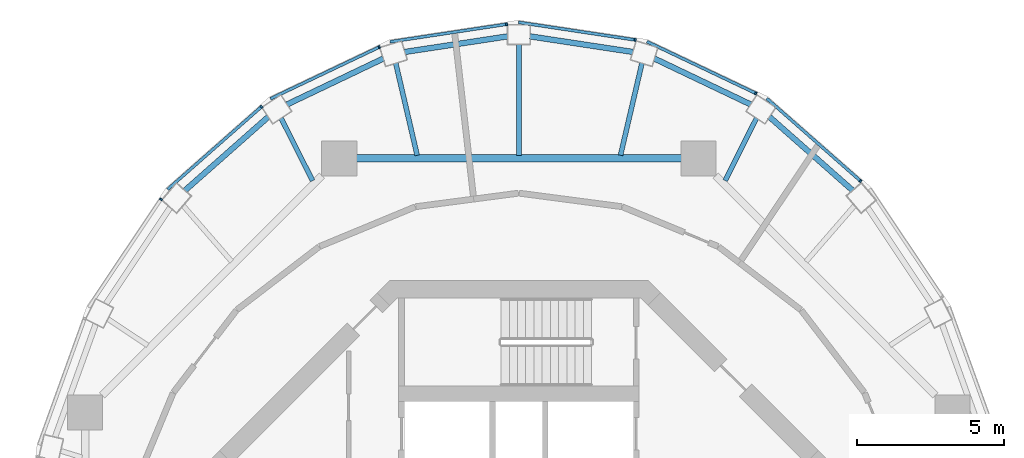
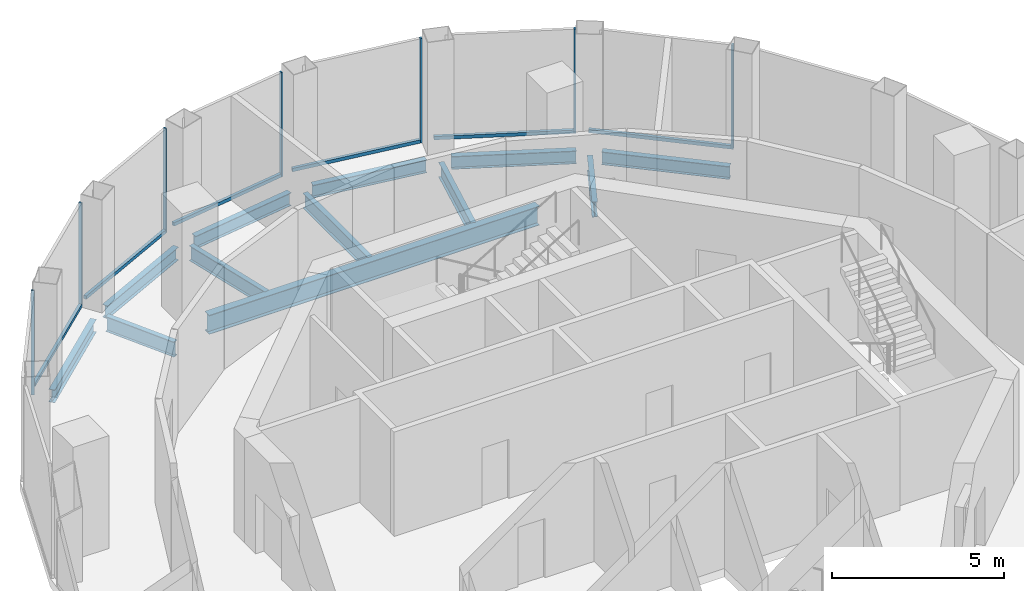
# One storey, part 6 of 11: 13 members, 12 beams, 7 elements without a shape of their own.
"""IFC4 building model written with IfcOpenShell, lengths in metres."""

from ifc_helpers import new_model, si_unit, direction, frame, origin, origin_2d, place, context, subcontext, project, spatial, rectangle, i_section, extrude, material, layer, layer_set, material_profile, profile_set, type_object, element, aggregate, save


model = new_model("IFC4")

# Units and contexts
model_context = context("Model", 3, precision=1e-05, world=origin(), true_north=direction((0.0, 1.0)))
body_context = subcontext(model_context, "Body", "Model", "MODEL_VIEW")
ifc_project = project(units=[si_unit("LENGTHUNIT", "METRE"), si_unit("AREAUNIT", "SQUARE_METRE"), si_unit("VOLUMEUNIT", "CUBIC_METRE"), si_unit("PLANEANGLEUNIT", "RADIAN"), si_unit("MASSUNIT", "GRAM", prefix="KILO")], contexts=[model_context])

# Site, building, storey
site_placement = place(None, origin())
site = spatial("IfcSite", under=ifc_project, at=site_placement, CompositionType="ELEMENT")
building_placement = place(site_placement, origin())
building = spatial("IfcBuilding", under=site, at=building_placement, Name="Nagisa Residences", CompositionType="ELEMENT")
storey_placement = place(building_placement, frame((0.0, 0.0, 332.89990234375)))
storey = spatial("IfcBuildingStorey", under=building, at=storey_placement, Name="L82", CompositionType="ELEMENT", Elevation=332.89990234375)

# Curtain wall, member
ifc_material_1 = material(Name="Aluminium curtain wall system", Category="aluminium")
ifc_layer = layer(ifc_material_1, 0.159912109375)
ifc_layer_set = layer_set([ifc_layer], Name="CW5 CURTAIN WALL")
curtain_wall_type = type_object("IfcCurtainWallType", Name="CW5 CURTAIN WALL", PredefinedType="NOTDEFINED", material=ifc_layer_set)
curtain_wall_1_placement = place(storey_placement, origin())
curtain_wall_1 = element("IfcCurtainWall", 1, at=curtain_wall_1_placement, inside=storey, type_object=curtain_wall_type, Name="cw:CW5:L82:03", PredefinedType="NOTDEFINED")
ifc_material_2 = material(Name="Aluminium", Category="aluminium")
ifc_material_profile_1 = material_profile(ifc_material_2, rectangle(XDim=0.10009765625, YDim=0.06005859375, at=origin_2d()), Name="CW5 MULLION 100x60")
ifc_profile_set_1 = profile_set([ifc_material_profile_1], Name="Aluminium")
member_type_1 = type_object("IfcMemberType", Name="CW5 MULLION 100x60", PredefinedType="MULLION", material=ifc_profile_set_1)
member_1_placement = place(storey_placement, frame((11.645263671875, 14.0126953125, 0.0), z_axis=(0.0, 0.0, 1.0), x_axis=(-0.660699467703, -0.750650526795, 0.0)))
member_1 = element("IfcMember", 2, at=member_1_placement, type_object=member_type_1, Name="CW5 mullion", PredefinedType="MULLION", context=body_context, shape_type="SweptSolid", body=[
    extrude(rectangle(XDim=0.10009765625, YDim=0.06005859375, at=origin_2d()), origin(), (0.0, 0.0, 1.0), 3.7001953125),
])

curtain_wall_2_placement = place(storey_placement, origin())
curtain_wall_2 = element("IfcCurtainWall", 3, at=curtain_wall_2_placement, inside=storey, type_object=curtain_wall_type, Name="cw:CW5:L82:04", PredefinedType="NOTDEFINED")
member_2_placement = place(storey_placement, frame((8.077392578125, 16.999755859375, 0.0), z_axis=(0.0, 0.0, 1.0), x_axis=(-0.429150642757, -0.903232929992, 0.0)))
member_2 = element("IfcMember", 4, at=member_2_placement, type_object=member_type_1, Name="CW5 mullion", PredefinedType="MULLION", context=body_context, shape_type="SweptSolid", body=[
    extrude(rectangle(XDim=0.10009765625, YDim=0.06005859375, at=origin_2d()), origin(), (0.0, 0.0, 1.0), 3.7001953125),
])

curtain_wall_3_placement = place(storey_placement, origin())
curtain_wall_3 = element("IfcCurtainWall", 5, at=curtain_wall_3_placement, inside=storey, type_object=curtain_wall_type, Name="cw:CW5:L82:05", PredefinedType="NOTDEFINED")
member_3_placement = place(storey_placement, frame((3.962890625, 18.820556640625, 0.0), z_axis=(0.0, 0.0, 1.0), x_axis=(-0.149320135997, -0.988788904158, 0.0)))
member_3 = element("IfcMember", 6, at=member_3_placement, type_object=member_type_1, Name="CW5 mullion", PredefinedType="MULLION", context=body_context, shape_type="SweptSolid", body=[
    extrude(rectangle(XDim=0.10009765625, YDim=0.06005859375, at=origin_2d()), origin(), (0.0, 0.0, 1.0), 3.7001953125),
])

curtain_wall_4_placement = place(storey_placement, origin())
curtain_wall_4 = element("IfcCurtainWall", 7, at=curtain_wall_4_placement, inside=storey, type_object=curtain_wall_type, Name="cw:CW5:L82:06", PredefinedType="NOTDEFINED")
member_4_placement = place(storey_placement, frame((-0.413330078125, 19.356689453125, 0.0), z_axis=(0.0, 0.0, 1.0), x_axis=(0.149320135997, -0.988788904158, 0.0)))
member_4 = element("IfcMember", 8, at=member_4_placement, type_object=member_type_1, Name="CW5 mullion", PredefinedType="MULLION", context=body_context, shape_type="SweptSolid", body=[
    extrude(rectangle(XDim=0.10009765625, YDim=0.06005859375, at=origin_2d()), origin(), (0.0, 0.0, 1.0), 3.7001953125),
])

curtain_wall_5_placement = place(storey_placement, origin())
curtain_wall_5 = element("IfcCurtainWall", 9, at=curtain_wall_5_placement, inside=storey, type_object=curtain_wall_type, Name="cw:CW5:L82:07", PredefinedType="NOTDEFINED")
member_5_placement = place(storey_placement, frame((-4.75390625, 18.578857421875, 0.0), z_axis=(0.0, 0.0, 1.0), x_axis=(0.429150642757, -0.903232929992, 0.0)))
member_5 = element("IfcMember", 10, at=member_5_placement, type_object=member_type_1, Name="CW5 mullion", PredefinedType="MULLION", context=body_context, shape_type="SweptSolid", body=[
    extrude(rectangle(XDim=0.10009765625, YDim=0.06005859375, at=origin_2d()), origin(), (0.0, 0.0, 1.0), 3.7001953125),
])

curtain_wall_6_placement = place(storey_placement, origin())
curtain_wall_6 = element("IfcCurtainWall", 11, at=curtain_wall_6_placement, inside=storey, type_object=curtain_wall_type, Name="cw:CW5:L82:08", PredefinedType="NOTDEFINED")
member_6_placement = place(storey_placement, frame((-8.77001953125, 16.54345703125, 0.0), z_axis=(0.0, 0.0, 1.0), x_axis=(0.660699467703, -0.750650526795, 0.0)))
member_6 = element("IfcMember", 12, at=member_6_placement, type_object=member_type_1, Name="CW5 mullion", PredefinedType="MULLION", context=body_context, shape_type="SweptSolid", body=[
    extrude(rectangle(XDim=0.10009765625, YDim=0.06005859375, at=origin_2d()), origin(), (0.0, 0.0, 1.0), 3.7001953125),
])

curtain_wall_7_placement = place(storey_placement, origin())
curtain_wall_7 = element("IfcCurtainWall", 13, at=curtain_wall_7_placement, inside=storey, type_object=curtain_wall_type, Name="cw:CW5:L82:09", PredefinedType="NOTDEFINED")
member_7_placement = place(storey_placement, frame((-12.193359375, 13.38671875, 0.0), z_axis=(0.0, 0.0, 1.0), x_axis=(0.831172662415, -0.556014393027, 0.0)))
member_7 = element("IfcMember", 14, at=member_7_placement, type_object=member_type_1, Name="CW5 mullion", PredefinedType="MULLION", context=body_context, shape_type="SweptSolid", body=[
    extrude(rectangle(XDim=0.10009765625, YDim=0.06005859375, at=origin_2d()), origin(), (0.0, 0.0, 1.0), 3.7001953125),
])
aggregate(curtain_wall_7, [member_7])

# Member
ifc_material_3 = material(Name="Aluminium", Category="aluminium")
ifc_material_profile_2 = material_profile(ifc_material_3, rectangle(XDim=0.10009765625, YDim=0.1201171875, at=origin_2d()), Name="CW5 TRANSOM 100x120")
ifc_profile_set_2 = profile_set([ifc_material_profile_2], Name="Aluminium")
member_type_2 = type_object("IfcMemberType", Name="CW5 TRANSOM 100x120", PredefinedType="USERDEFINED", material=ifc_profile_set_2)
member_8_placement = place(storey_placement, frame((11.667724609375, 13.992919921875, 0.06005859375), z_axis=(-0.750659327094, 0.660689469151, 0.0), x_axis=(-0.660689469151, -0.750659327094, 0.0)))
member_8 = element("IfcMember", 15, at=member_8_placement, type_object=member_type_2, Name="CW5 transom", ObjectType="TRANSOM", PredefinedType="USERDEFINED", context=body_context, shape_type="SweptSolid", body=[
    extrude(rectangle(XDim=0.10009765625, YDim=0.1201171875, at=origin_2d()), origin(), (0.0, 0.0, 1.0), 4.290283203125),
])

aggregate(curtain_wall_1, [member_1, member_8])

member_9_placement = place(storey_placement, frame((8.1044921875, 16.98681640625, 0.06005859375), z_axis=(-0.903246073132, 0.429122979309, 0.0), x_axis=(-0.429122979309, -0.903246073132, 0.0)))
member_9 = element("IfcMember", 16, at=member_9_placement, type_object=member_type_2, Name="CW5 transom", ObjectType="TRANSOM", PredefinedType="USERDEFINED", context=body_context, shape_type="SweptSolid", body=[
    extrude(rectangle(XDim=0.10009765625, YDim=0.1201171875, at=origin_2d()), origin(), (0.0, 0.0, 1.0), 4.1396484375),
])

aggregate(curtain_wall_2, [member_2, member_9])

member_10_placement = place(storey_placement, frame((3.992431640625, 18.816162109375, 0.06005859375), z_axis=(-0.988788172803, 0.149324978907, 0.0), x_axis=(-0.149324978907, -0.988788172803, 0.0)))
member_10 = element("IfcMember", 17, at=member_10_placement, type_object=member_type_2, Name="CW5 transom", ObjectType="TRANSOM", PredefinedType="USERDEFINED", context=body_context, shape_type="SweptSolid", body=[
    extrude(rectangle(XDim=0.10009765625, YDim=0.1201171875, at=origin_2d()), origin(), (0.0, 0.0, 1.0), 4.0498046875),
])

aggregate(curtain_wall_3, [member_3, member_10])

member_11_placement = place(storey_placement, frame((-0.383544921875, 19.361083984375, 0.06005859375), z_axis=(-0.988788172803, -0.149324978907, 0.0), x_axis=(0.149324978907, -0.988788172803, 0.0)))
member_11 = element("IfcMember", 18, at=member_11_placement, type_object=member_type_2, Name="CW5 transom", ObjectType="TRANSOM", PredefinedType="USERDEFINED", context=body_context, shape_type="SweptSolid", body=[
    extrude(rectangle(XDim=0.10009765625, YDim=0.1201171875, at=origin_2d()), origin(), (0.0, 0.0, 1.0), 4.0498046875),
])

aggregate(curtain_wall_4, [member_4, member_11])

member_12_placement = place(storey_placement, frame((-4.726806640625, 18.591552734375, 0.06005859375), z_axis=(-0.903235211694, -0.429145840426, 0.0), x_axis=(0.429145840426, -0.903235211694, 0.0)))
member_12 = element("IfcMember", 19, at=member_12_placement, type_object=member_type_2, Name="CW5 transom", ObjectType="TRANSOM", PredefinedType="USERDEFINED", context=body_context, shape_type="SweptSolid", body=[
    extrude(rectangle(XDim=0.10009765625, YDim=0.1201171875, at=origin_2d()), origin(), (0.0, 0.0, 1.0), 4.139404296875),
])

aggregate(curtain_wall_5, [member_5, member_12])

member_13_placement = place(storey_placement, frame((-8.747314453125, 16.563232421875, 0.06005859375), z_axis=(-0.750655944686, -0.66069331214, 0.0), x_axis=(0.66069331214, -0.750655944686, 0.0)))
member_13 = element("IfcMember", 20, at=member_13_placement, type_object=member_type_2, Name="CW5 transom", ObjectType="TRANSOM", PredefinedType="USERDEFINED", context=body_context, shape_type="SweptSolid", body=[
    extrude(rectangle(XDim=0.10009765625, YDim=0.1201171875, at=origin_2d()), origin(), (0.0, 0.0, 1.0), 4.29052734375),
])

aggregate(curtain_wall_6, [member_6, member_13])

# Beams
ifc_material_4 = material(Name="Steel ASTM A572 Gr 50", Category="steel")
ifc_material_profile_3 = material_profile(ifc_material_4, i_section(OverallWidth=0.2529296875, OverallDepth=0.677978515625, WebThickness=0.01171875, FlangeThickness=0.016357421875, at=origin_2d()), Name="W690x125")
ifc_profile_set_3 = profile_set([ifc_material_profile_3], Name="Steel ASTM A572 Gr 50")
beam_type_1 = type_object("IfcBeamType", Name="Inner ring beam W690x125", PredefinedType="BEAM", material=ifc_profile_set_3)
beam_1_placement = place(storey_placement, frame((5.54296875, 14.781982421875, -0.638916015625), z_axis=(-1.0, 0.0, 0.0), x_axis=(0.0, -1.0, 0.0)))
element("IfcBeam", 21, at=beam_1_placement, inside=storey, type_object=beam_type_1, Name="beam:L82:ib2", PredefinedType="BEAM", context=body_context, shape_type="SweptSolid", body=[
    extrude(i_section(OverallWidth=0.2529296875, OverallDepth=0.677978515625, WebThickness=0.01171875, FlangeThickness=0.016357421875, at=origin_2d()), origin(), (0.0, 0.0, 1.0), 11.0859375),
])
ifc_material_5 = material(Name="Steel ASTM A572 Gr 50", Category="steel")
ifc_material_profile_4 = material_profile(ifc_material_5, i_section(OverallWidth=0.18994140625, OverallDepth=0.45703125, WebThickness=0.009033203125, FlangeThickness=0.014404296875, at=origin_2d()), Name="W460x74")
ifc_profile_set_4 = profile_set([ifc_material_profile_4], Name="Steel ASTM A572 Gr 50")
beam_type_2 = type_object("IfcBeamType", Name="Perimeter ring beam W460x74", PredefinedType="BEAM", material=ifc_profile_set_4)
beam_2_placement = place(storey_placement, frame((11.3798828125, 13.68896484375, -0.5283203125), z_axis=(-0.749401876552, 0.662115418503, 0.0), x_axis=(-0.662115418503, -0.749401876552, 0.0)))
element("IfcBeam", 22, at=beam_2_placement, inside=storey, type_object=beam_type_2, Name="beam:L82:pb04", PredefinedType="BEAM", context=body_context, shape_type="SweptSolid", body=[
    extrude(i_section(OverallWidth=0.18994140625, OverallDepth=0.45703125, WebThickness=0.009033203125, FlangeThickness=0.014404296875, at=origin_2d()), origin(), (0.0, 0.0, 1.0), 3.792724609375),
])
beam_3_placement = place(storey_placement, frame((7.903564453125, 16.619873046875, -0.5283203125), z_axis=(-0.902613702305, 0.430451512266, 0.0), x_axis=(-0.430451512266, -0.902613702305, 0.0)))
element("IfcBeam", 23, at=beam_3_placement, inside=storey, type_object=beam_type_2, Name="beam:L82:pb05", PredefinedType="BEAM", context=body_context, shape_type="SweptSolid", body=[
    extrude(i_section(OverallWidth=0.18994140625, OverallDepth=0.45703125, WebThickness=0.009033203125, FlangeThickness=0.014404296875, at=origin_2d()), origin(), (0.0, 0.0, 1.0), 3.640625),
])
for number, where, z_axis, x_axis, name in (
    (24, (3.890380859375, 18.41015625, -0.5283203125), (-0.988700067025, 0.149907229525, 0.0), (-0.149907229525, -0.988700067025, 0.0), "beam:L82:pb06"),
    (25, (-0.380126953125, 18.9423828125, -0.5283203125), (-0.988700067025, -0.149907229525, 0.0), (0.149907229525, -0.988700067025, 0.0), "beam:L82:pb07"),
):
    element("IfcBeam", number, at=place(storey_placement, frame(where, z_axis=z_axis, x_axis=x_axis)), inside=storey, type_object=beam_type_2, Name=name, PredefinedType="BEAM", context=body_context, shape_type="SweptSolid", body=[
        extrude(i_section(OverallWidth=0.18994140625, OverallDepth=0.45703125, WebThickness=0.009033203125, FlangeThickness=0.014404296875, at=origin_2d()), origin(), (0.0, 0.0, 1.0), 3.55029296875),
    ])
beam_4_placement = place(storey_placement, frame((-4.617431640625, 18.18701171875, -0.5283203125), z_axis=(-0.902613702305, -0.430451512266, 0.0), x_axis=(0.430451512266, -0.902613702305, 0.0)))
element("IfcBeam", 26, at=beam_4_placement, inside=storey, type_object=beam_type_2, Name="beam:L82:pb08", PredefinedType="BEAM", context=body_context, shape_type="SweptSolid", body=[
    extrude(i_section(OverallWidth=0.18994140625, OverallDepth=0.45703125, WebThickness=0.009033203125, FlangeThickness=0.014404296875, at=origin_2d()), origin(), (0.0, 0.0, 1.0), 3.640625),
])
beam_5_placement = place(storey_placement, frame((-8.53759765625, 16.2001953125, -0.5283203125), z_axis=(-0.749401876552, -0.662115418503, 0.0), x_axis=(0.662115418503, -0.749401876552, 0.0)))
element("IfcBeam", 27, at=beam_5_placement, inside=storey, type_object=beam_type_2, Name="beam:L82:pb09", PredefinedType="BEAM", context=body_context, shape_type="SweptSolid", body=[
    extrude(i_section(OverallWidth=0.18994140625, OverallDepth=0.45703125, WebThickness=0.009033203125, FlangeThickness=0.014404296875, at=origin_2d()), origin(), (0.0, 0.0, 1.0), 3.792724609375),
])
ifc_material_6 = material(Name="Steel ASTM A572 Gr 50", Category="steel")
ifc_material_profile_5 = material_profile(ifc_material_6, i_section(OverallWidth=0.166015625, OverallDepth=0.534912109375, WebThickness=0.01025390625, FlangeThickness=0.0166015625, at=origin_2d()), Name="W530x85")
ifc_profile_set_5 = profile_set([ifc_material_profile_5], Name="Steel ASTM A572 Gr 50")
beam_type_3 = type_object("IfcBeamType", Name="Radial beam W530x85", PredefinedType="BEAM", material=ifc_profile_set_5)
beam_6_placement = place(storey_placement, frame((8.10107421875, 16.1572265625, -0.5673828125), z_axis=(-0.448236908276, -0.893914802461, 0.0), x_axis=(0.893914802461, -0.448236908276, 0.0)))
element("IfcBeam", 28, at=beam_6_placement, inside=storey, type_object=beam_type_3, Name="beam:L82:rb05", PredefinedType="BEAM", context=body_context, shape_type="SweptSolid", body=[
    extrude(i_section(OverallWidth=0.166015625, OverallDepth=0.534912109375, WebThickness=0.01025390625, FlangeThickness=0.0166015625, at=origin_2d()), origin(), (0.0, 0.0, 1.0), 2.385009765625),
])
beam_7_placement = place(storey_placement, frame((4.195556640625, 18.0302734375, -0.5673828125), z_axis=(-0.226650446588, -0.973976167604, 0.0), x_axis=(0.973976167604, -0.226650446588, 0.0)))
element("IfcBeam", 29, at=beam_7_placement, inside=storey, type_object=beam_type_3, Name="beam:L82:rb06", PredefinedType="BEAM", context=body_context, shape_type="SweptSolid", body=[
    extrude(i_section(OverallWidth=0.166015625, OverallDepth=0.534912109375, WebThickness=0.01025390625, FlangeThickness=0.0166015625, at=origin_2d()), origin(), (0.0, 0.0, 1.0), 3.22509765625),
])
beam_8_placement = place(storey_placement, frame((0.0, 18.669921875, -0.5673828125), z_axis=(0.0, -1.0, 0.0), x_axis=(1.0, 0.0, 0.0)))
element("IfcBeam", 30, at=beam_8_placement, inside=storey, type_object=beam_type_3, Name="beam:L82:rb07", PredefinedType="BEAM", context=body_context, shape_type="SweptSolid", body=[
    extrude(i_section(OverallWidth=0.166015625, OverallDepth=0.534912109375, WebThickness=0.01025390625, FlangeThickness=0.0166015625, at=origin_2d()), origin(), (0.0, 0.0, 1.0), 3.78125),
])
beam_9_placement = place(storey_placement, frame((-4.195556640625, 18.0302734375, -0.5673828125), z_axis=(0.226650446588, -0.973976167604, 0.0), x_axis=(0.973976167604, 0.226650446588, 0.0)))
element("IfcBeam", 31, at=beam_9_placement, inside=storey, type_object=beam_type_3, Name="beam:L82:rb08", PredefinedType="BEAM", context=body_context, shape_type="SweptSolid", body=[
    extrude(i_section(OverallWidth=0.166015625, OverallDepth=0.534912109375, WebThickness=0.01025390625, FlangeThickness=0.0166015625, at=origin_2d()), origin(), (0.0, 0.0, 1.0), 3.22509765625),
])
beam_10_placement = place(storey_placement, frame((-8.10107421875, 16.1572265625, -0.5673828125), z_axis=(0.448236908276, -0.893914802461, 0.0), x_axis=(0.893914802461, 0.448236908276, 0.0)))
element("IfcBeam", 32, at=beam_10_placement, inside=storey, type_object=beam_type_3, Name="beam:L82:rb09", PredefinedType="BEAM", context=body_context, shape_type="SweptSolid", body=[
    extrude(i_section(OverallWidth=0.166015625, OverallDepth=0.534912109375, WebThickness=0.01025390625, FlangeThickness=0.0166015625, at=origin_2d()), origin(), (0.0, 0.0, 1.0), 2.385009765625),
])

save(model, "model.ifc")
